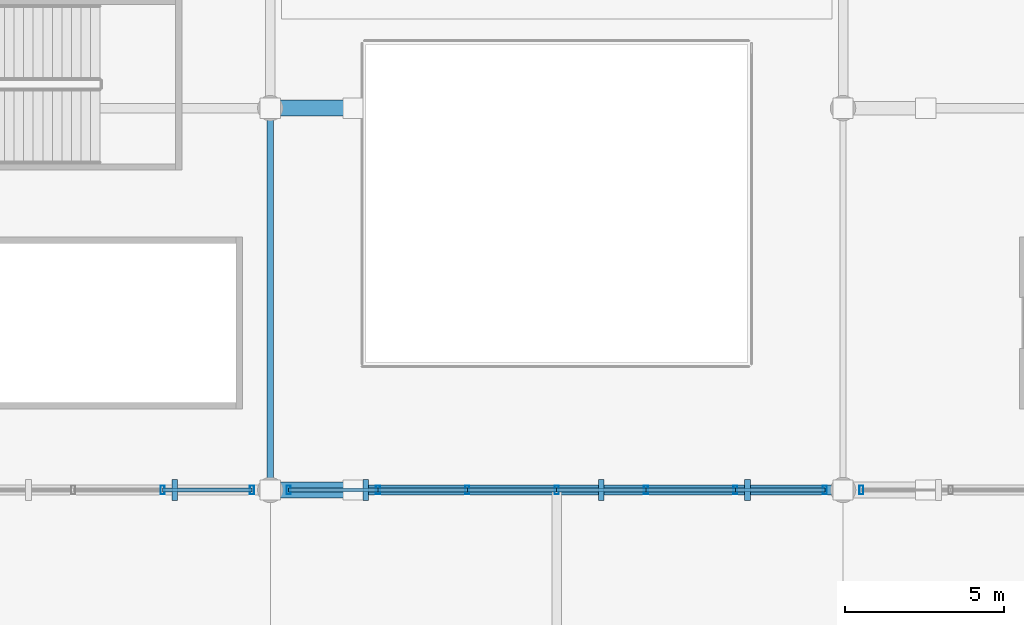
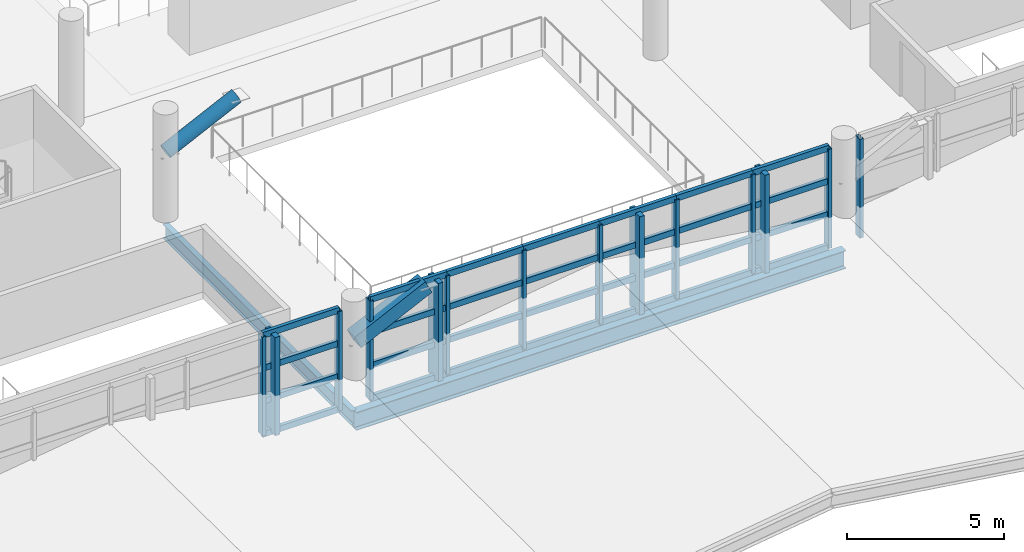
# One storey, part 10 of 136: 44 members, 2 beams, 3 elements without a shape of their own.
"""IFC4 building model written with IfcOpenShell, lengths in metres."""

from ifc_helpers import new_model, si_unit, direction, frame, origin, origin_2d, place, context, subcontext, project, spatial, rectangle, hollow_rectangle, hollow_circle, i_section, extrude, material, material_profile, profile_set, type_object, element, aggregate, save


model = new_model("IFC4")

# Units and contexts
model_context = context("Model", 3, precision=1e-05, world=origin(), true_north=direction((0.0, 1.0)))
body_context = subcontext(model_context, "Body", "Model", "MODEL_VIEW")
ifc_project = project(units=[si_unit("LENGTHUNIT", "METRE"), si_unit("AREAUNIT", "SQUARE_METRE"), si_unit("VOLUMEUNIT", "CUBIC_METRE"), si_unit("PLANEANGLEUNIT", "RADIAN"), si_unit("MASSUNIT", "GRAM", prefix="KILO")], contexts=[model_context])

# Site, building, storey
site_placement = place(None, origin())
site = spatial("IfcSite", under=ifc_project, at=site_placement, CompositionType="ELEMENT")
building_placement = place(site_placement, origin())
building = spatial("IfcBuilding", under=site, at=building_placement, Name="Chuanluo Vaults Station", CompositionType="ELEMENT")
storey_placement = place(building_placement, frame((0.0, 0.0, 6.60009765625)))
storey = spatial("IfcBuildingStorey", under=building, at=storey_placement, Name="L01", CompositionType="ELEMENT", Elevation=6.60009765625)

# Beams
ifc_material_1 = material(Name="Steel Q355C", Category="steel")
ifc_material_profile_1 = material_profile(ifc_material_1, i_section(OverallWidth=0.199951171875, OverallDepth=0.550048828125, WebThickness=0.010009765625, FlangeThickness=0.01611328125, FilletRadius=0.01806640625, at=origin_2d()))
ifc_profile_set_1 = profile_set([ifc_material_profile_1], Name="Steel Q355C")
beam_type_1 = type_object("IfcBeamType", Name="BM-GRD-550", PredefinedType="USERDEFINED", material=ifc_profile_set_1)
beam_1_placement = place(storey_placement, frame((36.0, 18.0, -0.55517578125), z_axis=(0.0, 1.0, 0.0), x_axis=(-1.0, 0.0, 0.0)))
element("IfcBeam", 1, at=beam_1_placement, inside=storey, type_object=beam_type_1, Name="Floor girder BM:GY:L01:0419", ObjectType="GIRDER", PredefinedType="USERDEFINED", context=body_context, shape_type="SweptSolid", body=[
    extrude(i_section(OverallWidth=0.199951171875, OverallDepth=0.550048828125, WebThickness=0.010009765625, FlangeThickness=0.01611328125, FilletRadius=0.01806640625, at=origin_2d()), origin(), (0.0, 0.0, 1.0), 12.0),
])
ifc_material_2 = material(Name="Steel Q355C", Category="steel")
ifc_material_profile_2 = material_profile(ifc_material_2, i_section(OverallWidth=0.300048828125, OverallDepth=0.699951171875, WebThickness=0.012939453125, FlangeThickness=0.02392578125, FilletRadius=0.02197265625, at=origin_2d()))
ifc_profile_set_2 = profile_set([ifc_material_profile_2], Name="Steel Q355C")
beam_type_2 = type_object("IfcBeamType", Name="BM-GRD-700", PredefinedType="USERDEFINED", material=ifc_profile_set_2)
beam_2_placement = place(storey_placement, frame((36.0, 18.0, -0.630126953125), z_axis=(1.0, 0.0, 0.0), x_axis=(0.0, 1.0, 0.0)))
element("IfcBeam", 2, at=beam_2_placement, inside=storey, type_object=beam_type_2, Name="Floor girder BM:GX:L01:0293", ObjectType="GIRDER", PredefinedType="USERDEFINED", context=body_context, shape_type="SweptSolid", body=[
    extrude(i_section(OverallWidth=0.300048828125, OverallDepth=0.699951171875, WebThickness=0.012939453125, FlangeThickness=0.02392578125, FilletRadius=0.02197265625, at=origin_2d()), origin(), (0.0, 0.0, 1.0), 18.0),
])

# Curtain wall, members
ifc_material_3 = material(Name="Anodised aluminium 6063-T6", Category="aluminium")
curtain_wall_type_1 = type_object("IfcCurtainWallType", Name="CW-SYS-06", PredefinedType="NOTDEFINED", material=ifc_material_3)
curtain_wall_1_placement = place(storey_placement, origin())
curtain_wall_1 = element("IfcCurtainWall", 3, at=curtain_wall_1_placement, inside=storey, type_object=curtain_wall_type_1, Name="Concourse V2 south facade CW", PredefinedType="NOTDEFINED")
ifc_material_4 = material(Name="Anodised aluminium 6063-T6", Category="aluminium")
ifc_material_profile_3 = material_profile(ifc_material_4, hollow_rectangle(XDim=0.1298828125, YDim=0.280029296875, WallThickness=0.007080078125, at=origin_2d()))
ifc_profile_set_3 = profile_set([ifc_material_profile_3], Name="Anodised aluminium 6063-T6")
member_type_1 = type_object("IfcMemberType", Name="CWM-180", PredefinedType="MULLION", material=ifc_profile_set_3)
member_1_placement = place(storey_placement, frame((35.425048828125, 18.0, 0.0), z_axis=(0.0, 0.0, 1.0), x_axis=(-1.0, 0.0, 0.0)))
member_1 = element("IfcMember", 4, at=member_1_placement, type_object=member_type_1, Name="Concourse V2 south facade CW mullion 1", PredefinedType="MULLION", context=body_context, shape_type="SweptSolid", body=[
    extrude(hollow_rectangle(XDim=0.1298828125, YDim=0.280029296875, WallThickness=0.007080078125, at=origin_2d()), origin(), (0.0, 0.0, 1.0), 3.849853515625),
])
member_2_placement = place(storey_placement, frame((32.61669921875, 18.0, 0.0), z_axis=(0.0, 0.0, 1.0), x_axis=(-1.0, 0.0, 0.0)))
member_2 = element("IfcMember", 5, at=member_2_placement, type_object=member_type_1, Name="Concourse V2 south facade CW mullion 2", PredefinedType="MULLION", context=body_context, shape_type="SweptSolid", body=[
    extrude(hollow_rectangle(XDim=0.1298828125, YDim=0.280029296875, WallThickness=0.007080078125, at=origin_2d()), origin(), (0.0, 0.0, 1.0), 3.849853515625),
])

ifc_material_5 = material(Name="Anodised aluminium 6063-T6", Category="aluminium")
curtain_wall_type_2 = type_object("IfcCurtainWallType", Name="CW-SYS-10", PredefinedType="NOTDEFINED", material=ifc_material_5)
curtain_wall_2_placement = place(storey_placement, origin())
curtain_wall_2 = element("IfcCurtainWall", 6, at=curtain_wall_2_placement, inside=storey, type_object=curtain_wall_type_2, Name="Concourse V3 south facade CW", PredefinedType="NOTDEFINED")
member_3_placement = place(storey_placement, frame((53.425048828125, 18.0, 0.0), z_axis=(0.0, 0.0, 1.0), x_axis=(-1.0, 0.0, 0.0)))
member_3 = element("IfcMember", 7, at=member_3_placement, type_object=member_type_1, Name="Concourse V3 south facade CW mullion 1", PredefinedType="MULLION", context=body_context, shape_type="SweptSolid", body=[
    extrude(hollow_rectangle(XDim=0.1298828125, YDim=0.280029296875, WallThickness=0.007080078125, at=origin_2d()), origin(), (0.0, 0.0, 1.0), 3.849853515625),
])
member_4_placement = place(storey_placement, frame((50.61669921875, 18.0, 0.0), z_axis=(0.0, 0.0, 1.0), x_axis=(-1.0, 0.0, 0.0)))
member_4 = element("IfcMember", 8, at=member_4_placement, type_object=member_type_1, Name="Concourse V3 south facade CW mullion 2", PredefinedType="MULLION", context=body_context, shape_type="SweptSolid", body=[
    extrude(hollow_rectangle(XDim=0.1298828125, YDim=0.280029296875, WallThickness=0.007080078125, at=origin_2d()), origin(), (0.0, 0.0, 1.0), 3.849853515625),
])
member_5_placement = place(storey_placement, frame((47.808349609375, 18.0, 0.0), z_axis=(0.0, 0.0, 1.0), x_axis=(-1.0, 0.0, 0.0)))
member_5 = element("IfcMember", 9, at=member_5_placement, type_object=member_type_1, Name="Concourse V3 south facade CW mullion 3", PredefinedType="MULLION", context=body_context, shape_type="SweptSolid", body=[
    extrude(hollow_rectangle(XDim=0.1298828125, YDim=0.280029296875, WallThickness=0.007080078125, at=origin_2d()), origin(), (0.0, 0.0, 1.0), 3.849853515625),
])
member_6_placement = place(storey_placement, frame((45.0, 18.0, 0.0), z_axis=(0.0, 0.0, 1.0), x_axis=(-1.0, 0.0, 0.0)))
member_6 = element("IfcMember", 10, at=member_6_placement, type_object=member_type_1, Name="Concourse V3 south facade CW mullion 4", PredefinedType="MULLION", context=body_context, shape_type="SweptSolid", body=[
    extrude(hollow_rectangle(XDim=0.1298828125, YDim=0.280029296875, WallThickness=0.007080078125, at=origin_2d()), origin(), (0.0, 0.0, 1.0), 3.849853515625),
])
member_7_placement = place(storey_placement, frame((42.191650390625, 18.0, 0.0), z_axis=(0.0, 0.0, 1.0), x_axis=(-1.0, 0.0, 0.0)))
member_7 = element("IfcMember", 11, at=member_7_placement, type_object=member_type_1, Name="Concourse V3 south facade CW mullion 5", PredefinedType="MULLION", context=body_context, shape_type="SweptSolid", body=[
    extrude(hollow_rectangle(XDim=0.1298828125, YDim=0.280029296875, WallThickness=0.007080078125, at=origin_2d()), origin(), (0.0, 0.0, 1.0), 3.849853515625),
])
member_8_placement = place(storey_placement, frame((39.38330078125, 18.0, 0.0), z_axis=(0.0, 0.0, 1.0), x_axis=(-1.0, 0.0, 0.0)))
member_8 = element("IfcMember", 12, at=member_8_placement, type_object=member_type_1, Name="Concourse V3 south facade CW mullion 6", PredefinedType="MULLION", context=body_context, shape_type="SweptSolid", body=[
    extrude(hollow_rectangle(XDim=0.1298828125, YDim=0.280029296875, WallThickness=0.007080078125, at=origin_2d()), origin(), (0.0, 0.0, 1.0), 3.849853515625),
])
member_9_placement = place(storey_placement, frame((36.574951171875, 18.0, 0.0), z_axis=(0.0, 0.0, 1.0), x_axis=(-1.0, 0.0, 0.0)))
member_9 = element("IfcMember", 13, at=member_9_placement, type_object=member_type_1, Name="Concourse V3 south facade CW mullion 7", PredefinedType="MULLION", context=body_context, shape_type="SweptSolid", body=[
    extrude(hollow_rectangle(XDim=0.1298828125, YDim=0.280029296875, WallThickness=0.007080078125, at=origin_2d()), origin(), (0.0, 0.0, 1.0), 3.849853515625),
])

# Curtain wall, member
ifc_material_6 = material(Name="Anodised aluminium 6063-T6", Category="aluminium")
curtain_wall_type_3 = type_object("IfcCurtainWallType", Name="CW-SYS-14", PredefinedType="NOTDEFINED", material=ifc_material_6)
curtain_wall_3_placement = place(storey_placement, origin())
curtain_wall_3 = element("IfcCurtainWall", 14, at=curtain_wall_3_placement, inside=storey, type_object=curtain_wall_type_3, Name="Concourse V4 south facade CW", PredefinedType="NOTDEFINED")
member_10_placement = place(storey_placement, frame((54.574951171875, 18.0, 0.0), z_axis=(0.0, 0.0, 1.0), x_axis=(-1.0, 0.0, 0.0)))
member_10 = element("IfcMember", 15, at=member_10_placement, type_object=member_type_1, Name="Concourse V4 south facade CW mullion 7", PredefinedType="MULLION", context=body_context, shape_type="SweptSolid", body=[
    extrude(hollow_rectangle(XDim=0.1298828125, YDim=0.280029296875, WallThickness=0.007080078125, at=origin_2d()), origin(), (0.0, 0.0, 1.0), 3.849853515625),
])
aggregate(curtain_wall_3, [member_10])

# Member
ifc_material_7 = material(Name="Anodised aluminium 6063-T6", Category="aluminium")
ifc_material_profile_4 = material_profile(ifc_material_7, hollow_rectangle(XDim=0.1298828125, YDim=0.22998046875, WallThickness=0.006103515625, at=origin_2d()))
ifc_profile_set_4 = profile_set([ifc_material_profile_4], Name="Anodised aluminium 6063-T6")
member_type_2 = type_object("IfcMemberType", Name="CWT-150", PredefinedType="USERDEFINED", material=ifc_profile_set_4)
member_11_placement = place(storey_placement, frame((35.425048828125, 18.0, 0.0), z_axis=(-1.0, 0.0, 0.0), x_axis=(0.0, -1.0, 0.0)))
member_11 = element("IfcMember", 16, at=member_11_placement, type_object=member_type_2, Name="Concourse V2 south facade CW transom 1.1", ObjectType="TRANSOM", PredefinedType="USERDEFINED", context=body_context, shape_type="SweptSolid", body=[
    extrude(hollow_rectangle(XDim=0.1298828125, YDim=0.22998046875, WallThickness=0.006103515625, at=origin_2d()), origin(), (0.0, 0.0, 1.0), 2.808349609375),
])

member_12_placement = place(storey_placement, frame((35.425048828125, 18.0, 1.283203125), z_axis=(-1.0, 0.0, 0.0), x_axis=(0.0, -1.0, 0.0)))
member_12 = element("IfcMember", 17, at=member_12_placement, type_object=member_type_2, Name="Concourse V2 south facade CW transom 1.2", ObjectType="TRANSOM", PredefinedType="USERDEFINED", context=body_context, shape_type="SweptSolid", body=[
    extrude(hollow_rectangle(XDim=0.1298828125, YDim=0.22998046875, WallThickness=0.006103515625, at=origin_2d()), origin(), (0.0, 0.0, 1.0), 2.808349609375),
])

member_13_placement = place(storey_placement, frame((35.425048828125, 18.0, 2.566650390625), z_axis=(-1.0, 0.0, 0.0), x_axis=(0.0, -1.0, 0.0)))
member_13 = element("IfcMember", 18, at=member_13_placement, type_object=member_type_2, Name="Concourse V2 south facade CW transom 1.3", ObjectType="TRANSOM", PredefinedType="USERDEFINED", context=body_context, shape_type="SweptSolid", body=[
    extrude(hollow_rectangle(XDim=0.1298828125, YDim=0.22998046875, WallThickness=0.006103515625, at=origin_2d()), origin(), (0.0, 0.0, 1.0), 2.808349609375),
])

member_14_placement = place(storey_placement, frame((35.425048828125, 18.0, 3.849853515625), z_axis=(-1.0, 0.0, 0.0), x_axis=(0.0, -1.0, 0.0)))
member_14 = element("IfcMember", 19, at=member_14_placement, type_object=member_type_2, Name="Concourse V2 south facade CW transom 1.4", ObjectType="TRANSOM", PredefinedType="USERDEFINED", context=body_context, shape_type="SweptSolid", body=[
    extrude(hollow_rectangle(XDim=0.1298828125, YDim=0.22998046875, WallThickness=0.006103515625, at=origin_2d()), origin(), (0.0, 0.0, 1.0), 2.808349609375),
])

aggregate(curtain_wall_1, [member_1, member_2, member_11, member_12, member_13, member_14])

member_15_placement = place(storey_placement, frame((53.425048828125, 18.0, 0.0), z_axis=(-1.0, 0.0, 0.0), x_axis=(0.0, -1.0, 0.0)))
member_15 = element("IfcMember", 20, at=member_15_placement, type_object=member_type_2, Name="Concourse V3 south facade CW transom 1.1", ObjectType="TRANSOM", PredefinedType="USERDEFINED", context=body_context, shape_type="SweptSolid", body=[
    extrude(hollow_rectangle(XDim=0.1298828125, YDim=0.22998046875, WallThickness=0.006103515625, at=origin_2d()), origin(), (0.0, 0.0, 1.0), 2.808349609375),
])

member_16_placement = place(storey_placement, frame((53.425048828125, 18.0, 1.283203125), z_axis=(-1.0, 0.0, 0.0), x_axis=(0.0, -1.0, 0.0)))
member_16 = element("IfcMember", 21, at=member_16_placement, type_object=member_type_2, Name="Concourse V3 south facade CW transom 1.2", ObjectType="TRANSOM", PredefinedType="USERDEFINED", context=body_context, shape_type="SweptSolid", body=[
    extrude(hollow_rectangle(XDim=0.1298828125, YDim=0.22998046875, WallThickness=0.006103515625, at=origin_2d()), origin(), (0.0, 0.0, 1.0), 2.808349609375),
])

member_17_placement = place(storey_placement, frame((53.425048828125, 18.0, 2.566650390625), z_axis=(-1.0, 0.0, 0.0), x_axis=(0.0, -1.0, 0.0)))
member_17 = element("IfcMember", 22, at=member_17_placement, type_object=member_type_2, Name="Concourse V3 south facade CW transom 1.3", ObjectType="TRANSOM", PredefinedType="USERDEFINED", context=body_context, shape_type="SweptSolid", body=[
    extrude(hollow_rectangle(XDim=0.1298828125, YDim=0.22998046875, WallThickness=0.006103515625, at=origin_2d()), origin(), (0.0, 0.0, 1.0), 2.808349609375),
])

member_18_placement = place(storey_placement, frame((53.425048828125, 18.0, 3.849853515625), z_axis=(-1.0, 0.0, 0.0), x_axis=(0.0, -1.0, 0.0)))
member_18 = element("IfcMember", 23, at=member_18_placement, type_object=member_type_2, Name="Concourse V3 south facade CW transom 1.4", ObjectType="TRANSOM", PredefinedType="USERDEFINED", context=body_context, shape_type="SweptSolid", body=[
    extrude(hollow_rectangle(XDim=0.1298828125, YDim=0.22998046875, WallThickness=0.006103515625, at=origin_2d()), origin(), (0.0, 0.0, 1.0), 2.808349609375),
])

member_19_placement = place(storey_placement, frame((50.61669921875, 18.0, 0.0), z_axis=(-1.0, 0.0, 0.0), x_axis=(0.0, -1.0, 0.0)))
member_19 = element("IfcMember", 24, at=member_19_placement, type_object=member_type_2, Name="Concourse V3 south facade CW transom 2.1", ObjectType="TRANSOM", PredefinedType="USERDEFINED", context=body_context, shape_type="SweptSolid", body=[
    extrude(hollow_rectangle(XDim=0.1298828125, YDim=0.22998046875, WallThickness=0.006103515625, at=origin_2d()), origin(), (0.0, 0.0, 1.0), 2.808349609375),
])

member_20_placement = place(storey_placement, frame((50.61669921875, 18.0, 1.283203125), z_axis=(-1.0, 0.0, 0.0), x_axis=(0.0, -1.0, 0.0)))
member_20 = element("IfcMember", 25, at=member_20_placement, type_object=member_type_2, Name="Concourse V3 south facade CW transom 2.2", ObjectType="TRANSOM", PredefinedType="USERDEFINED", context=body_context, shape_type="SweptSolid", body=[
    extrude(hollow_rectangle(XDim=0.1298828125, YDim=0.22998046875, WallThickness=0.006103515625, at=origin_2d()), origin(), (0.0, 0.0, 1.0), 2.808349609375),
])

member_21_placement = place(storey_placement, frame((50.61669921875, 18.0, 2.566650390625), z_axis=(-1.0, 0.0, 0.0), x_axis=(0.0, -1.0, 0.0)))
member_21 = element("IfcMember", 26, at=member_21_placement, type_object=member_type_2, Name="Concourse V3 south facade CW transom 2.3", ObjectType="TRANSOM", PredefinedType="USERDEFINED", context=body_context, shape_type="SweptSolid", body=[
    extrude(hollow_rectangle(XDim=0.1298828125, YDim=0.22998046875, WallThickness=0.006103515625, at=origin_2d()), origin(), (0.0, 0.0, 1.0), 2.808349609375),
])

member_22_placement = place(storey_placement, frame((50.61669921875, 18.0, 3.849853515625), z_axis=(-1.0, 0.0, 0.0), x_axis=(0.0, -1.0, 0.0)))
member_22 = element("IfcMember", 27, at=member_22_placement, type_object=member_type_2, Name="Concourse V3 south facade CW transom 2.4", ObjectType="TRANSOM", PredefinedType="USERDEFINED", context=body_context, shape_type="SweptSolid", body=[
    extrude(hollow_rectangle(XDim=0.1298828125, YDim=0.22998046875, WallThickness=0.006103515625, at=origin_2d()), origin(), (0.0, 0.0, 1.0), 2.808349609375),
])

member_23_placement = place(storey_placement, frame((47.808349609375, 18.0, 0.0), z_axis=(-1.0, 0.0, 0.0), x_axis=(0.0, -1.0, 0.0)))
member_23 = element("IfcMember", 28, at=member_23_placement, type_object=member_type_2, Name="Concourse V3 south facade CW transom 3.1", ObjectType="TRANSOM", PredefinedType="USERDEFINED", context=body_context, shape_type="SweptSolid", body=[
    extrude(hollow_rectangle(XDim=0.1298828125, YDim=0.22998046875, WallThickness=0.006103515625, at=origin_2d()), origin(), (0.0, 0.0, 1.0), 2.808349609375),
])

member_24_placement = place(storey_placement, frame((47.808349609375, 18.0, 1.283203125), z_axis=(-1.0, 0.0, 0.0), x_axis=(0.0, -1.0, 0.0)))
member_24 = element("IfcMember", 29, at=member_24_placement, type_object=member_type_2, Name="Concourse V3 south facade CW transom 3.2", ObjectType="TRANSOM", PredefinedType="USERDEFINED", context=body_context, shape_type="SweptSolid", body=[
    extrude(hollow_rectangle(XDim=0.1298828125, YDim=0.22998046875, WallThickness=0.006103515625, at=origin_2d()), origin(), (0.0, 0.0, 1.0), 2.808349609375),
])

member_25_placement = place(storey_placement, frame((47.808349609375, 18.0, 2.566650390625), z_axis=(-1.0, 0.0, 0.0), x_axis=(0.0, -1.0, 0.0)))
member_25 = element("IfcMember", 30, at=member_25_placement, type_object=member_type_2, Name="Concourse V3 south facade CW transom 3.3", ObjectType="TRANSOM", PredefinedType="USERDEFINED", context=body_context, shape_type="SweptSolid", body=[
    extrude(hollow_rectangle(XDim=0.1298828125, YDim=0.22998046875, WallThickness=0.006103515625, at=origin_2d()), origin(), (0.0, 0.0, 1.0), 2.808349609375),
])

member_26_placement = place(storey_placement, frame((47.808349609375, 18.0, 3.849853515625), z_axis=(-1.0, 0.0, 0.0), x_axis=(0.0, -1.0, 0.0)))
member_26 = element("IfcMember", 31, at=member_26_placement, type_object=member_type_2, Name="Concourse V3 south facade CW transom 3.4", ObjectType="TRANSOM", PredefinedType="USERDEFINED", context=body_context, shape_type="SweptSolid", body=[
    extrude(hollow_rectangle(XDim=0.1298828125, YDim=0.22998046875, WallThickness=0.006103515625, at=origin_2d()), origin(), (0.0, 0.0, 1.0), 2.808349609375),
])

member_27_placement = place(storey_placement, frame((45.0, 18.0, 0.0), z_axis=(-1.0, 0.0, 0.0), x_axis=(0.0, -1.0, 0.0)))
member_27 = element("IfcMember", 32, at=member_27_placement, type_object=member_type_2, Name="Concourse V3 south facade CW transom 4.1", ObjectType="TRANSOM", PredefinedType="USERDEFINED", context=body_context, shape_type="SweptSolid", body=[
    extrude(hollow_rectangle(XDim=0.1298828125, YDim=0.22998046875, WallThickness=0.006103515625, at=origin_2d()), origin(), (0.0, 0.0, 1.0), 2.808349609375),
])

member_28_placement = place(storey_placement, frame((45.0, 18.0, 1.283203125), z_axis=(-1.0, 0.0, 0.0), x_axis=(0.0, -1.0, 0.0)))
member_28 = element("IfcMember", 33, at=member_28_placement, type_object=member_type_2, Name="Concourse V3 south facade CW transom 4.2", ObjectType="TRANSOM", PredefinedType="USERDEFINED", context=body_context, shape_type="SweptSolid", body=[
    extrude(hollow_rectangle(XDim=0.1298828125, YDim=0.22998046875, WallThickness=0.006103515625, at=origin_2d()), origin(), (0.0, 0.0, 1.0), 2.808349609375),
])

member_29_placement = place(storey_placement, frame((45.0, 18.0, 2.566650390625), z_axis=(-1.0, 0.0, 0.0), x_axis=(0.0, -1.0, 0.0)))
member_29 = element("IfcMember", 34, at=member_29_placement, type_object=member_type_2, Name="Concourse V3 south facade CW transom 4.3", ObjectType="TRANSOM", PredefinedType="USERDEFINED", context=body_context, shape_type="SweptSolid", body=[
    extrude(hollow_rectangle(XDim=0.1298828125, YDim=0.22998046875, WallThickness=0.006103515625, at=origin_2d()), origin(), (0.0, 0.0, 1.0), 2.808349609375),
])

member_30_placement = place(storey_placement, frame((45.0, 18.0, 3.849853515625), z_axis=(-1.0, 0.0, 0.0), x_axis=(0.0, -1.0, 0.0)))
member_30 = element("IfcMember", 35, at=member_30_placement, type_object=member_type_2, Name="Concourse V3 south facade CW transom 4.4", ObjectType="TRANSOM", PredefinedType="USERDEFINED", context=body_context, shape_type="SweptSolid", body=[
    extrude(hollow_rectangle(XDim=0.1298828125, YDim=0.22998046875, WallThickness=0.006103515625, at=origin_2d()), origin(), (0.0, 0.0, 1.0), 2.808349609375),
])

member_31_placement = place(storey_placement, frame((42.191650390625, 18.0, 0.0), z_axis=(-1.0, 0.0, 0.0), x_axis=(0.0, -1.0, 0.0)))
member_31 = element("IfcMember", 36, at=member_31_placement, type_object=member_type_2, Name="Concourse V3 south facade CW transom 5.1", ObjectType="TRANSOM", PredefinedType="USERDEFINED", context=body_context, shape_type="SweptSolid", body=[
    extrude(hollow_rectangle(XDim=0.1298828125, YDim=0.22998046875, WallThickness=0.006103515625, at=origin_2d()), origin(), (0.0, 0.0, 1.0), 2.808349609375),
])

member_32_placement = place(storey_placement, frame((42.191650390625, 18.0, 1.283203125), z_axis=(-1.0, 0.0, 0.0), x_axis=(0.0, -1.0, 0.0)))
member_32 = element("IfcMember", 37, at=member_32_placement, type_object=member_type_2, Name="Concourse V3 south facade CW transom 5.2", ObjectType="TRANSOM", PredefinedType="USERDEFINED", context=body_context, shape_type="SweptSolid", body=[
    extrude(hollow_rectangle(XDim=0.1298828125, YDim=0.22998046875, WallThickness=0.006103515625, at=origin_2d()), origin(), (0.0, 0.0, 1.0), 2.808349609375),
])

member_33_placement = place(storey_placement, frame((42.191650390625, 18.0, 2.566650390625), z_axis=(-1.0, 0.0, 0.0), x_axis=(0.0, -1.0, 0.0)))
member_33 = element("IfcMember", 38, at=member_33_placement, type_object=member_type_2, Name="Concourse V3 south facade CW transom 5.3", ObjectType="TRANSOM", PredefinedType="USERDEFINED", context=body_context, shape_type="SweptSolid", body=[
    extrude(hollow_rectangle(XDim=0.1298828125, YDim=0.22998046875, WallThickness=0.006103515625, at=origin_2d()), origin(), (0.0, 0.0, 1.0), 2.808349609375),
])

member_34_placement = place(storey_placement, frame((42.191650390625, 18.0, 3.849853515625), z_axis=(-1.0, 0.0, 0.0), x_axis=(0.0, -1.0, 0.0)))
member_34 = element("IfcMember", 39, at=member_34_placement, type_object=member_type_2, Name="Concourse V3 south facade CW transom 5.4", ObjectType="TRANSOM", PredefinedType="USERDEFINED", context=body_context, shape_type="SweptSolid", body=[
    extrude(hollow_rectangle(XDim=0.1298828125, YDim=0.22998046875, WallThickness=0.006103515625, at=origin_2d()), origin(), (0.0, 0.0, 1.0), 2.808349609375),
])

member_35_placement = place(storey_placement, frame((39.38330078125, 18.0, 0.0), z_axis=(-1.0, 0.0, 0.0), x_axis=(0.0, -1.0, 0.0)))
member_35 = element("IfcMember", 40, at=member_35_placement, type_object=member_type_2, Name="Concourse V3 south facade CW transom 6.1", ObjectType="TRANSOM", PredefinedType="USERDEFINED", context=body_context, shape_type="SweptSolid", body=[
    extrude(hollow_rectangle(XDim=0.1298828125, YDim=0.22998046875, WallThickness=0.006103515625, at=origin_2d()), origin(), (0.0, 0.0, 1.0), 2.808349609375),
])

member_36_placement = place(storey_placement, frame((39.38330078125, 18.0, 1.283203125), z_axis=(-1.0, 0.0, 0.0), x_axis=(0.0, -1.0, 0.0)))
member_36 = element("IfcMember", 41, at=member_36_placement, type_object=member_type_2, Name="Concourse V3 south facade CW transom 6.2", ObjectType="TRANSOM", PredefinedType="USERDEFINED", context=body_context, shape_type="SweptSolid", body=[
    extrude(hollow_rectangle(XDim=0.1298828125, YDim=0.22998046875, WallThickness=0.006103515625, at=origin_2d()), origin(), (0.0, 0.0, 1.0), 2.808349609375),
])

member_37_placement = place(storey_placement, frame((39.38330078125, 18.0, 2.566650390625), z_axis=(-1.0, 0.0, 0.0), x_axis=(0.0, -1.0, 0.0)))
member_37 = element("IfcMember", 42, at=member_37_placement, type_object=member_type_2, Name="Concourse V3 south facade CW transom 6.3", ObjectType="TRANSOM", PredefinedType="USERDEFINED", context=body_context, shape_type="SweptSolid", body=[
    extrude(hollow_rectangle(XDim=0.1298828125, YDim=0.22998046875, WallThickness=0.006103515625, at=origin_2d()), origin(), (0.0, 0.0, 1.0), 2.808349609375),
])

member_38_placement = place(storey_placement, frame((39.38330078125, 18.0, 3.849853515625), z_axis=(-1.0, 0.0, 0.0), x_axis=(0.0, -1.0, 0.0)))
member_38 = element("IfcMember", 43, at=member_38_placement, type_object=member_type_2, Name="Concourse V3 south facade CW transom 6.4", ObjectType="TRANSOM", PredefinedType="USERDEFINED", context=body_context, shape_type="SweptSolid", body=[
    extrude(hollow_rectangle(XDim=0.1298828125, YDim=0.22998046875, WallThickness=0.006103515625, at=origin_2d()), origin(), (0.0, 0.0, 1.0), 2.808349609375),
])

aggregate(curtain_wall_2, [member_3, member_4, member_5, member_6, member_7, member_8, member_9, member_15, member_16, member_17, member_18, member_19, member_20, member_21, member_22, member_23, member_24, member_25, member_26, member_27, member_28, member_29, member_30, member_31, member_32, member_33, member_34, member_35, member_36, member_37, member_38])

# Members
ifc_material_8 = material(Name="Steel Q390C", Category="steel")
ifc_material_profile_5 = material_profile(ifc_material_8, hollow_rectangle(XDim=0.5, YDim=0.550048828125, WallThickness=0.02490234375, at=origin_2d()))
ifc_profile_set_5 = profile_set([ifc_material_profile_5], Name="Steel Q390C")
member_type_3 = type_object("IfcMemberType", Name="MEM-BOX-550", PredefinedType="CHORD", material=ifc_profile_set_5)
member_39_placement = place(storey_placement, frame((36.0, 18.0, 2.5), z_axis=(0.901258779583, 0.0, 0.4332812161), x_axis=(0.0, 1.0, 0.0)))
element("IfcMember", 44, at=member_39_placement, inside=storey, type_object=member_type_3, Name="Concourse gallery knee strut 02", PredefinedType="CHORD", context=body_context, shape_type="SweptSolid", body=[
    extrude(hollow_rectangle(XDim=0.5, YDim=0.550048828125, WallThickness=0.02490234375, at=origin_2d()), origin(), (0.0, 0.0, 1.0), 2.885009765625),
])
ifc_material_9 = material(Name="Steel Q355C", Category="steel")
ifc_material_profile_6 = material_profile(ifc_material_9, hollow_circle(Radius=0.25390625, WallThickness=0.02001953125, at=origin_2d()))
ifc_profile_set_6 = profile_set([ifc_material_profile_6], Name="Steel Q355C")
member_type_4 = type_object("IfcMemberType", Name="MEM-CHS-508", PredefinedType="STRUT", material=ifc_profile_set_6)
member_40_placement = place(storey_placement, frame((36.0, 30.0, 2.5), z_axis=(0.901258779583, 0.0, 0.4332812161), x_axis=(0.0, 1.0, 0.0)))
element("IfcMember", 45, at=member_40_placement, inside=storey, type_object=member_type_4, Name="Concourse gallery knee strut 06", PredefinedType="STRUT", context=body_context, shape_type="SweptSolid", body=[
    extrude(hollow_circle(Radius=0.25390625, WallThickness=0.02001953125, at=origin_2d()), origin(), (0.0, 0.0, 1.0), 2.885009765625),
])
ifc_material_10 = material(Name="Concrete C50", Category="concrete")
ifc_material_profile_7 = material_profile(ifc_material_10, rectangle(XDim=0.179931640625, YDim=0.64990234375, at=origin_2d()))
ifc_profile_set_7 = profile_set([ifc_material_profile_7], Name="Concrete C50")
member_type_5 = type_object("IfcMemberType", Name="MEM-FIN-CONC", PredefinedType="USERDEFINED", material=ifc_profile_set_7)
for number, where, z_axis, x_axis, name in (
    (46, (33.0, 18.0, 0.0), (0.0, 0.0, 1.0), (1.0, 0.0, 0.0), "Concourse vertical sun-fin 03"),
    (47, (39.0, 18.0, 0.0), (0.0, 0.0, 1.0), (1.0, 0.0, 0.0), "Concourse vertical sun-fin 04"),
    (48, (46.39990234375, 18.0, 0.0), (0.0, 0.0, 1.0), (1.0, 0.0, 0.0), "Concourse vertical sun-fin 05"),
    (49, (51.0, 18.0, 0.0), (0.0, 0.0, 1.0), (1.0, 0.0, 0.0), "Concourse vertical sun-fin 06"),
):
    element("IfcMember", number, at=place(storey_placement, frame(where, z_axis=z_axis, x_axis=x_axis)), inside=storey, type_object=member_type_5, Name=name, ObjectType="MULLION_FIN", PredefinedType="USERDEFINED", context=body_context, shape_type="SweptSolid", body=[
        extrude(rectangle(XDim=0.179931640625, YDim=0.64990234375, at=origin_2d()), origin(), (0.0, 0.0, 1.0), 3.81982421875),
    ])

save(model, "model.ifc")
